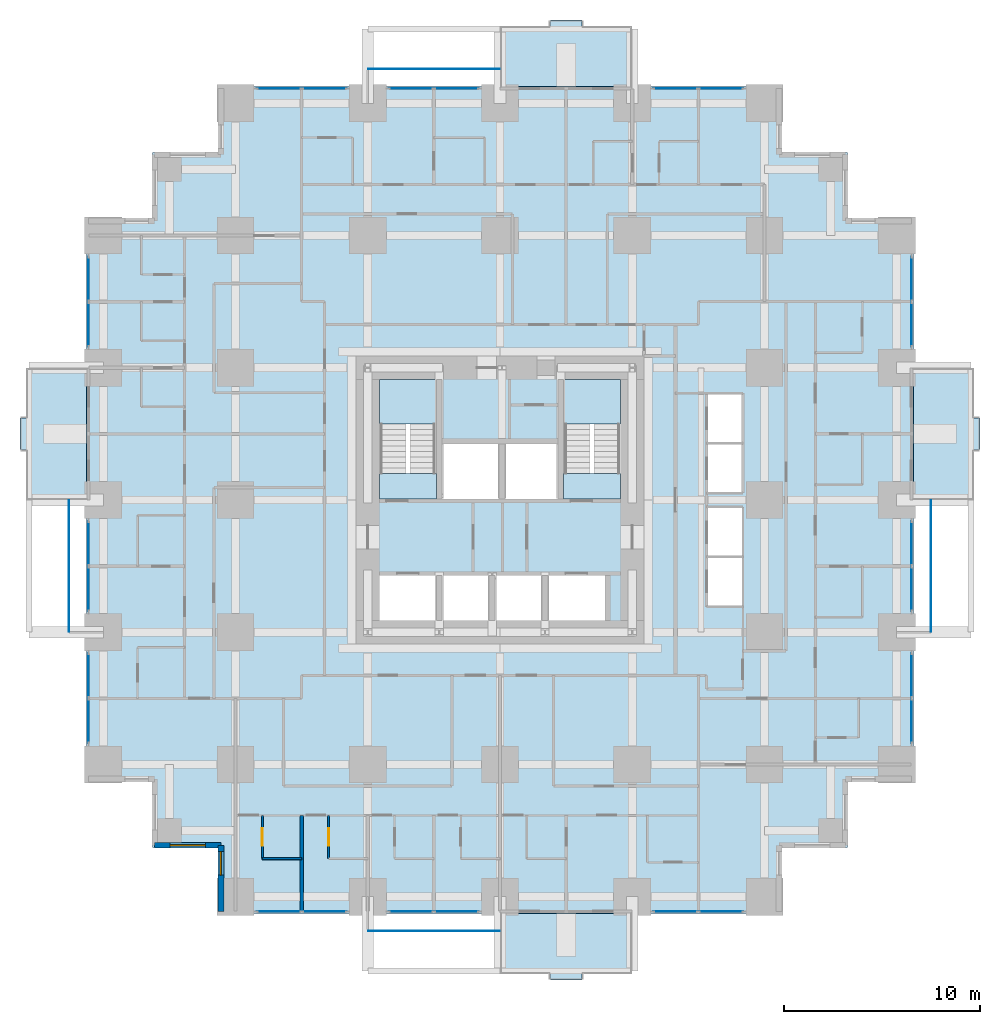
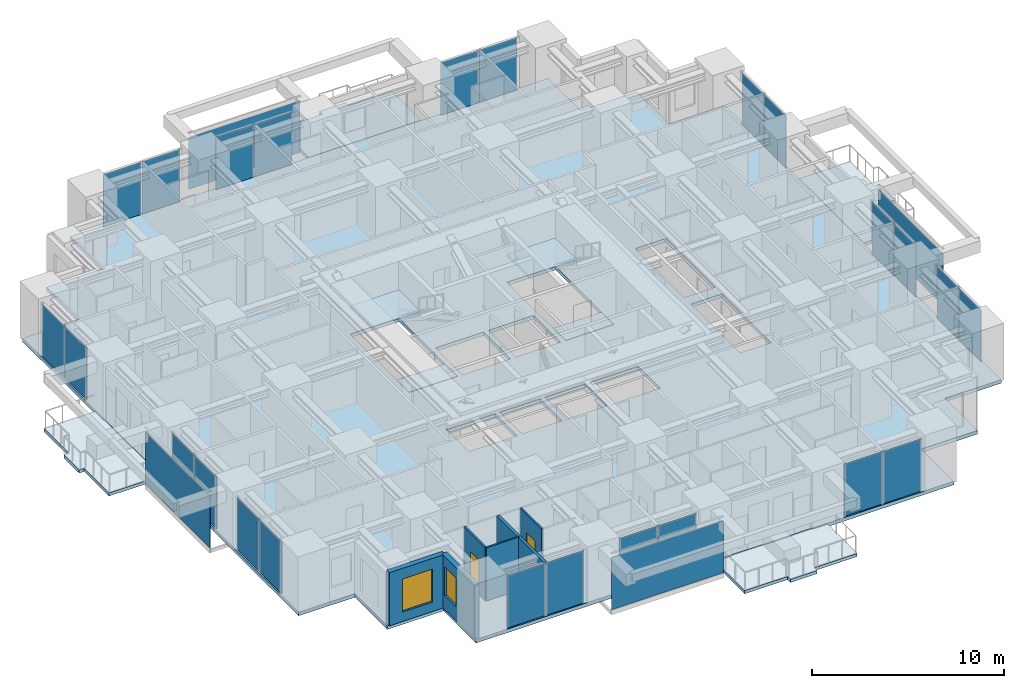
# One storey, part 7 of 14: 28 plates, 9 slabs, 6 walls, 2 doors, 2 windows, 4 openings, 14 elements without a shape of their own.
"""IFC4 building model written with IfcOpenShell, lengths in metres."""

from ifc_helpers import new_model, si_unit, direction, frame, frame_2d, origin, origin_2d, place, context, subcontext, project, spatial, polyline, rectangle, outline, extrude, material, layer, layer_set, type_object, element, fill, aggregate, save


model = new_model("IFC4")

# Units and contexts
model_context = context("Model", 3, precision=1e-05, world=origin(), true_north=direction((0.0, 1.0)))
body_context = subcontext(model_context, "Body", "Model", "MODEL_VIEW")
ifc_project = project(units=[si_unit("LENGTHUNIT", "METRE"), si_unit("AREAUNIT", "SQUARE_METRE"), si_unit("VOLUMEUNIT", "CUBIC_METRE"), si_unit("PLANEANGLEUNIT", "RADIAN"), si_unit("MASSUNIT", "GRAM", prefix="KILO")], contexts=[model_context])

# Site, building, storey
site_placement = place(None, origin())
site = spatial("IfcSite", under=ifc_project, at=site_placement, CompositionType="ELEMENT")
building_placement = place(site_placement, origin())
building = spatial("IfcBuilding", under=site, at=building_placement, Name="Nyansa Garden Tower", CompositionType="ELEMENT")
storey_placement = place(building_placement, frame((0.0, 0.0, 43.199951171875)))
storey = spatial("IfcBuildingStorey", under=building, at=storey_placement, Name="L11", CompositionType="ELEMENT", Elevation=43.199951171875)

# Slabs
ifc_material_1 = material(Name="Concrete C40/50", Category="concrete")
ifc_layer_1 = layer(ifc_material_1, 0.199951171875)
ifc_layer_set_1 = layer_set([ifc_layer_1], Name="Balcony slab BS200")
slab_type_1 = type_object("IfcSlabType", Name="Balcony slab BS200", PredefinedType="FLOOR", material=ifc_layer_set_1)
slab_1_placement = place(storey_placement, frame((0.0, 0.0, -0.239990234375)))
element("IfcSlab", 1, at=slab_1_placement, inside=storey, type_object=slab_type_1, Name="Balcony L11 S", PredefinedType="FLOOR", context=body_context, shape_type="SweptSolid", body=[
    extrude(outline(polyline([(20.25, -0.85009765625), (27.0, -0.85009765625), (27.0, -3.949951171875), (24.425048828125, -3.949951171875), (24.425048828125, -4.25), (22.824951171875, -4.25), (22.824951171875, -3.949951171875), (20.25, -3.949951171875), (20.25, -0.85009765625)])), origin(), (0.0, 0.0, 1.0), 0.199951171875),
])
slab_2_placement = place(storey_placement, frame((0.0, 0.0, -0.239990234375)))
element("IfcSlab", 2, at=slab_2_placement, inside=storey, type_object=slab_type_1, Name="Balcony L11 E", PredefinedType="FLOOR", context=body_context, shape_type="SweptSolid", body=[
    extrude(outline(polyline([(41.35009765625, 20.25), (41.35009765625, 27.0), (44.449951171875, 27.0), (44.449951171875, 24.425048828125), (44.75, 24.425048828125), (44.75, 22.824951171875), (44.449951171875, 22.824951171875), (44.449951171875, 20.25), (41.35009765625, 20.25)])), origin(), (0.0, 0.0, 1.0), 0.199951171875),
])
slab_3_placement = place(storey_placement, frame((0.0, 0.0, -0.239990234375)))
element("IfcSlab", 3, at=slab_3_placement, inside=storey, type_object=slab_type_1, Name="Balcony L11 N", PredefinedType="FLOOR", context=body_context, shape_type="SweptSolid", body=[
    extrude(outline(polyline([(20.25, 41.35009765625), (27.0, 41.35009765625), (27.0, 44.449951171875), (24.425048828125, 44.449951171875), (24.425048828125, 44.75), (22.824951171875, 44.75), (22.824951171875, 44.449951171875), (20.25, 44.449951171875), (20.25, 41.35009765625)])), origin(), (0.0, 0.0, 1.0), 0.199951171875),
])
slab_4_placement = place(storey_placement, frame((0.0, 0.0, -0.239990234375)))
element("IfcSlab", 4, at=slab_4_placement, inside=storey, type_object=slab_type_1, Name="Balcony L11 W", PredefinedType="FLOOR", context=body_context, shape_type="SweptSolid", body=[
    extrude(outline(polyline([(-0.85009765625, 20.25), (-0.85009765625, 27.0), (-3.949951171875, 27.0), (-3.949951171875, 24.425048828125), (-4.25, 24.425048828125), (-4.25, 22.824951171875), (-3.949951171875, 22.824951171875), (-3.949951171875, 20.25), (-0.85009765625, 20.25)])), origin(), (0.0, 0.0, 1.0), 0.199951171875),
])

# Curtain wall, plates
ifc_material_2 = material(Name="Black anodised aluminium, dark tinted double glazing", Category="aluminium")
curtain_wall_type = type_object("IfcCurtainWallType", Name="Inner skin curtain wall ISW-A", PredefinedType="USERDEFINED", material=ifc_material_2)
curtain_wall_1_placement = place(storey_placement, origin())
curtain_wall_1 = element("IfcCurtainWall", 5, at=curtain_wall_1_placement, inside=storey, type_object=curtain_wall_type, Name="Inner skin curtain wall L11 E", ObjectType="UNITISED CURTAIN WALL", PredefinedType="USERDEFINED")
ifc_material_3 = material(Name="Dark tinted laminated double glazing", Category="glass")
ifc_layer_2 = layer(ifc_material_3, 0.031982421875)
ifc_layer_set_2 = layer_set([ifc_layer_2], Name="Dark tinted vision panel VP-A")
plate_type_1 = type_object("IfcPlateType", Name="Dark tinted vision panel VP-A", PredefinedType="CURTAIN_PANEL", material=ifc_layer_set_2)
plate_1_placement = place(storey_placement, frame((41.25, 8.96240234375, 0.0), z_axis=(0.0, 0.0, 1.0), x_axis=(0.0, 1.0, 0.0)))
plate_1 = element("IfcPlate", 6, at=plate_1_placement, type_object=plate_type_1, Name="ISW-A panel 1", PredefinedType="CURTAIN_PANEL", context=body_context, shape_type="SweptSolid", body=[
    extrude(rectangle(XDim=2.260009765625, YDim=0.031982421875, at=origin_2d()), origin(), (0.0, 0.0, 1.0), 3.31005859375),
])
plate_2_placement = place(storey_placement, frame((41.25, 11.28759765625, 0.0), z_axis=(0.0, 0.0, 1.0), x_axis=(0.0, 1.0, 0.0)))
plate_2 = element("IfcPlate", 7, at=plate_2_placement, type_object=plate_type_1, Name="ISW-A panel 2", PredefinedType="CURTAIN_PANEL", context=body_context, shape_type="SweptSolid", body=[
    extrude(rectangle(XDim=2.260009765625, YDim=0.031982421875, at=origin_2d()), origin(), (0.0, 0.0, 1.0), 3.31005859375),
])
aggregate(curtain_wall_1, [plate_1, plate_2])

curtain_wall_2_placement = place(storey_placement, origin())
curtain_wall_2 = element("IfcCurtainWall", 8, at=curtain_wall_2_placement, inside=storey, type_object=curtain_wall_type, Name="Inner skin curtain wall L11 E", ObjectType="UNITISED CURTAIN WALL", PredefinedType="USERDEFINED")
plate_3_placement = place(storey_placement, frame((41.25, 15.71240234375, 0.0), z_axis=(0.0, 0.0, 1.0), x_axis=(0.0, 1.0, 0.0)))
plate_3 = element("IfcPlate", 9, at=plate_3_placement, type_object=plate_type_1, Name="ISW-A panel 1", PredefinedType="CURTAIN_PANEL", context=body_context, shape_type="SweptSolid", body=[
    extrude(rectangle(XDim=2.260009765625, YDim=0.031982421875, at=origin_2d()), origin(), (0.0, 0.0, 1.0), 3.31005859375),
])
plate_4_placement = place(storey_placement, frame((41.25, 18.03759765625, 0.0), z_axis=(0.0, 0.0, 1.0), x_axis=(0.0, 1.0, 0.0)))
plate_4 = element("IfcPlate", 10, at=plate_4_placement, type_object=plate_type_1, Name="ISW-A panel 2", PredefinedType="CURTAIN_PANEL", context=body_context, shape_type="SweptSolid", body=[
    extrude(rectangle(XDim=2.260009765625, YDim=0.031982421875, at=origin_2d()), origin(), (0.0, 0.0, 1.0), 3.31005859375),
])
aggregate(curtain_wall_2, [plate_3, plate_4])

curtain_wall_3_placement = place(storey_placement, origin())
curtain_wall_3 = element("IfcCurtainWall", 11, at=curtain_wall_3_placement, inside=storey, type_object=curtain_wall_type, Name="Inner skin curtain wall L11 E", ObjectType="UNITISED CURTAIN WALL", PredefinedType="USERDEFINED")
plate_5_placement = place(storey_placement, frame((41.25, 29.21240234375, 0.0), z_axis=(0.0, 0.0, 1.0), x_axis=(0.0, 1.0, 0.0)))
plate_5 = element("IfcPlate", 12, at=plate_5_placement, type_object=plate_type_1, Name="ISW-A panel 1", PredefinedType="CURTAIN_PANEL", context=body_context, shape_type="SweptSolid", body=[
    extrude(rectangle(XDim=2.260009765625, YDim=0.031982421875, at=origin_2d()), origin(), (0.0, 0.0, 1.0), 3.31005859375),
])
plate_6_placement = place(storey_placement, frame((41.25, 31.53759765625, 0.0), z_axis=(0.0, 0.0, 1.0), x_axis=(0.0, 1.0, 0.0)))
plate_6 = element("IfcPlate", 13, at=plate_6_placement, type_object=plate_type_1, Name="ISW-A panel 2", PredefinedType="CURTAIN_PANEL", context=body_context, shape_type="SweptSolid", body=[
    extrude(rectangle(XDim=2.260009765625, YDim=0.031982421875, at=origin_2d()), origin(), (0.0, 0.0, 1.0), 3.31005859375),
])
aggregate(curtain_wall_3, [plate_5, plate_6])

curtain_wall_4_placement = place(storey_placement, origin())
curtain_wall_4 = element("IfcCurtainWall", 14, at=curtain_wall_4_placement, inside=storey, type_object=curtain_wall_type, Name="Inner skin curtain wall L11 N", ObjectType="UNITISED CURTAIN WALL", PredefinedType="USERDEFINED")
plate_7_placement = place(storey_placement, frame((18.03759765625, 41.25, 0.0), z_axis=(0.0, 0.0, 1.0), x_axis=(-1.0, 0.0, 0.0)))
plate_7 = element("IfcPlate", 15, at=plate_7_placement, type_object=plate_type_1, Name="ISW-A panel 1", PredefinedType="CURTAIN_PANEL", context=body_context, shape_type="SweptSolid", body=[
    extrude(rectangle(XDim=2.260009765625, YDim=0.031982421875, at=origin_2d()), origin(), (0.0, 0.0, 1.0), 3.31005859375),
])
plate_8_placement = place(storey_placement, frame((15.71240234375, 41.25, 0.0), z_axis=(0.0, 0.0, 1.0), x_axis=(-1.0, 0.0, 0.0)))
plate_8 = element("IfcPlate", 16, at=plate_8_placement, type_object=plate_type_1, Name="ISW-A panel 2", PredefinedType="CURTAIN_PANEL", context=body_context, shape_type="SweptSolid", body=[
    extrude(rectangle(XDim=2.260009765625, YDim=0.031982421875, at=origin_2d()), origin(), (0.0, 0.0, 1.0), 3.31005859375),
])
aggregate(curtain_wall_4, [plate_7, plate_8])

curtain_wall_5_placement = place(storey_placement, origin())
curtain_wall_5 = element("IfcCurtainWall", 17, at=curtain_wall_5_placement, inside=storey, type_object=curtain_wall_type, Name="Inner skin curtain wall L11 N", ObjectType="UNITISED CURTAIN WALL", PredefinedType="USERDEFINED")
plate_9_placement = place(storey_placement, frame((11.28759765625, 41.25, 0.0), z_axis=(0.0, 0.0, 1.0), x_axis=(-1.0, 0.0, 0.0)))
plate_9 = element("IfcPlate", 18, at=plate_9_placement, type_object=plate_type_1, Name="ISW-A panel 1", PredefinedType="CURTAIN_PANEL", context=body_context, shape_type="SweptSolid", body=[
    extrude(rectangle(XDim=2.260009765625, YDim=0.031982421875, at=origin_2d()), origin(), (0.0, 0.0, 1.0), 3.31005859375),
])
plate_10_placement = place(storey_placement, frame((8.96240234375, 41.25, 0.0), z_axis=(0.0, 0.0, 1.0), x_axis=(-1.0, 0.0, 0.0)))
plate_10 = element("IfcPlate", 19, at=plate_10_placement, type_object=plate_type_1, Name="ISW-A panel 2", PredefinedType="CURTAIN_PANEL", context=body_context, shape_type="SweptSolid", body=[
    extrude(rectangle(XDim=2.260009765625, YDim=0.031982421875, at=origin_2d()), origin(), (0.0, 0.0, 1.0), 3.31005859375),
])
aggregate(curtain_wall_5, [plate_9, plate_10])

curtain_wall_6_placement = place(storey_placement, origin())
curtain_wall_6 = element("IfcCurtainWall", 20, at=curtain_wall_6_placement, inside=storey, type_object=curtain_wall_type, Name="Inner skin curtain wall L11 N", ObjectType="UNITISED CURTAIN WALL", PredefinedType="USERDEFINED")
plate_11_placement = place(storey_placement, frame((31.53759765625, 41.25, 0.0), z_axis=(0.0, 0.0, 1.0), x_axis=(-1.0, 0.0, 0.0)))
plate_11 = element("IfcPlate", 21, at=plate_11_placement, type_object=plate_type_1, Name="ISW-A panel 1", PredefinedType="CURTAIN_PANEL", context=body_context, shape_type="SweptSolid", body=[
    extrude(rectangle(XDim=2.260009765625, YDim=0.031982421875, at=origin_2d()), origin(), (0.0, 0.0, 1.0), 3.31005859375),
])
plate_12_placement = place(storey_placement, frame((29.21240234375, 41.25, 0.0), z_axis=(0.0, 0.0, 1.0), x_axis=(-1.0, 0.0, 0.0)))
plate_12 = element("IfcPlate", 22, at=plate_12_placement, type_object=plate_type_1, Name="ISW-A panel 2", PredefinedType="CURTAIN_PANEL", context=body_context, shape_type="SweptSolid", body=[
    extrude(rectangle(XDim=2.260009765625, YDim=0.031982421875, at=origin_2d()), origin(), (0.0, 0.0, 1.0), 3.31005859375),
])
aggregate(curtain_wall_6, [plate_11, plate_12])

curtain_wall_7_placement = place(storey_placement, origin())
curtain_wall_7 = element("IfcCurtainWall", 23, at=curtain_wall_7_placement, inside=storey, type_object=curtain_wall_type, Name="Inner skin curtain wall L11 W", ObjectType="UNITISED CURTAIN WALL", PredefinedType="USERDEFINED")
plate_13_placement = place(storey_placement, frame((-0.75, 18.03759765625, 0.0), z_axis=(0.0, 0.0, 1.0), x_axis=(0.0, -1.0, 0.0)))
plate_13 = element("IfcPlate", 24, at=plate_13_placement, type_object=plate_type_1, Name="ISW-A panel 1", PredefinedType="CURTAIN_PANEL", context=body_context, shape_type="SweptSolid", body=[
    extrude(rectangle(XDim=2.260009765625, YDim=0.031982421875, at=origin_2d()), origin(), (0.0, 0.0, 1.0), 3.31005859375),
])
plate_14_placement = place(storey_placement, frame((-0.75, 15.71240234375, 0.0), z_axis=(0.0, 0.0, 1.0), x_axis=(0.0, -1.0, 0.0)))
plate_14 = element("IfcPlate", 25, at=plate_14_placement, type_object=plate_type_1, Name="ISW-A panel 2", PredefinedType="CURTAIN_PANEL", context=body_context, shape_type="SweptSolid", body=[
    extrude(rectangle(XDim=2.260009765625, YDim=0.031982421875, at=origin_2d()), origin(), (0.0, 0.0, 1.0), 3.31005859375),
])
aggregate(curtain_wall_7, [plate_13, plate_14])

curtain_wall_8_placement = place(storey_placement, origin())
curtain_wall_8 = element("IfcCurtainWall", 26, at=curtain_wall_8_placement, inside=storey, type_object=curtain_wall_type, Name="Inner skin curtain wall L11 W", ObjectType="UNITISED CURTAIN WALL", PredefinedType="USERDEFINED")
plate_15_placement = place(storey_placement, frame((-0.75, 11.28759765625, 0.0), z_axis=(0.0, 0.0, 1.0), x_axis=(0.0, -1.0, 0.0)))
plate_15 = element("IfcPlate", 27, at=plate_15_placement, type_object=plate_type_1, Name="ISW-A panel 1", PredefinedType="CURTAIN_PANEL", context=body_context, shape_type="SweptSolid", body=[
    extrude(rectangle(XDim=2.260009765625, YDim=0.031982421875, at=origin_2d()), origin(), (0.0, 0.0, 1.0), 3.31005859375),
])
plate_16_placement = place(storey_placement, frame((-0.75, 8.96240234375, 0.0), z_axis=(0.0, 0.0, 1.0), x_axis=(0.0, -1.0, 0.0)))
plate_16 = element("IfcPlate", 28, at=plate_16_placement, type_object=plate_type_1, Name="ISW-A panel 2", PredefinedType="CURTAIN_PANEL", context=body_context, shape_type="SweptSolid", body=[
    extrude(rectangle(XDim=2.260009765625, YDim=0.031982421875, at=origin_2d()), origin(), (0.0, 0.0, 1.0), 3.31005859375),
])
aggregate(curtain_wall_8, [plate_15, plate_16])

curtain_wall_9_placement = place(storey_placement, origin())
curtain_wall_9 = element("IfcCurtainWall", 29, at=curtain_wall_9_placement, inside=storey, type_object=curtain_wall_type, Name="Inner skin curtain wall L11 W", ObjectType="UNITISED CURTAIN WALL", PredefinedType="USERDEFINED")
plate_17_placement = place(storey_placement, frame((-0.75, 31.53759765625, 0.0), z_axis=(0.0, 0.0, 1.0), x_axis=(0.0, -1.0, 0.0)))
plate_17 = element("IfcPlate", 30, at=plate_17_placement, type_object=plate_type_1, Name="ISW-A panel 1", PredefinedType="CURTAIN_PANEL", context=body_context, shape_type="SweptSolid", body=[
    extrude(rectangle(XDim=2.260009765625, YDim=0.031982421875, at=origin_2d()), origin(), (0.0, 0.0, 1.0), 3.31005859375),
])
plate_18_placement = place(storey_placement, frame((-0.75, 29.21240234375, 0.0), z_axis=(0.0, 0.0, 1.0), x_axis=(0.0, -1.0, 0.0)))
plate_18 = element("IfcPlate", 31, at=plate_18_placement, type_object=plate_type_1, Name="ISW-A panel 2", PredefinedType="CURTAIN_PANEL", context=body_context, shape_type="SweptSolid", body=[
    extrude(rectangle(XDim=2.260009765625, YDim=0.031982421875, at=origin_2d()), origin(), (0.0, 0.0, 1.0), 3.31005859375),
])
aggregate(curtain_wall_9, [plate_17, plate_18])

curtain_wall_10_placement = place(storey_placement, origin())
curtain_wall_10 = element("IfcCurtainWall", 32, at=curtain_wall_10_placement, inside=storey, type_object=curtain_wall_type, Name="Inner skin curtain wall L11 S", ObjectType="UNITISED CURTAIN WALL", PredefinedType="USERDEFINED")
plate_19_placement = place(storey_placement, frame((8.96240234375, -0.75, 0.0), z_axis=(0.0, 0.0, 1.0), x_axis=(1.0, 0.0, 0.0)))
plate_19 = element("IfcPlate", 33, at=plate_19_placement, type_object=plate_type_1, Name="ISW-A panel 1", PredefinedType="CURTAIN_PANEL", context=body_context, shape_type="SweptSolid", body=[
    extrude(rectangle(XDim=2.260009765625, YDim=0.031982421875, at=origin_2d()), origin(), (0.0, 0.0, 1.0), 3.31005859375),
])
plate_20_placement = place(storey_placement, frame((11.28759765625, -0.75, 0.0), z_axis=(0.0, 0.0, 1.0), x_axis=(1.0, 0.0, 0.0)))
plate_20 = element("IfcPlate", 34, at=plate_20_placement, type_object=plate_type_1, Name="ISW-A panel 2", PredefinedType="CURTAIN_PANEL", context=body_context, shape_type="SweptSolid", body=[
    extrude(rectangle(XDim=2.260009765625, YDim=0.031982421875, at=origin_2d()), origin(), (0.0, 0.0, 1.0), 3.31005859375),
])
aggregate(curtain_wall_10, [plate_19, plate_20])

curtain_wall_11_placement = place(storey_placement, origin())
curtain_wall_11 = element("IfcCurtainWall", 35, at=curtain_wall_11_placement, inside=storey, type_object=curtain_wall_type, Name="Inner skin curtain wall L11 S", ObjectType="UNITISED CURTAIN WALL", PredefinedType="USERDEFINED")
plate_21_placement = place(storey_placement, frame((15.71240234375, -0.75, 0.0), z_axis=(0.0, 0.0, 1.0), x_axis=(1.0, 0.0, 0.0)))
plate_21 = element("IfcPlate", 36, at=plate_21_placement, type_object=plate_type_1, Name="ISW-A panel 1", PredefinedType="CURTAIN_PANEL", context=body_context, shape_type="SweptSolid", body=[
    extrude(rectangle(XDim=2.260009765625, YDim=0.031982421875, at=origin_2d()), origin(), (0.0, 0.0, 1.0), 3.31005859375),
])
plate_22_placement = place(storey_placement, frame((18.03759765625, -0.75, 0.0), z_axis=(0.0, 0.0, 1.0), x_axis=(1.0, 0.0, 0.0)))
plate_22 = element("IfcPlate", 37, at=plate_22_placement, type_object=plate_type_1, Name="ISW-A panel 2", PredefinedType="CURTAIN_PANEL", context=body_context, shape_type="SweptSolid", body=[
    extrude(rectangle(XDim=2.260009765625, YDim=0.031982421875, at=origin_2d()), origin(), (0.0, 0.0, 1.0), 3.31005859375),
])
aggregate(curtain_wall_11, [plate_21, plate_22])

curtain_wall_12_placement = place(storey_placement, origin())
curtain_wall_12 = element("IfcCurtainWall", 38, at=curtain_wall_12_placement, inside=storey, type_object=curtain_wall_type, Name="Inner skin curtain wall L11 S", ObjectType="UNITISED CURTAIN WALL", PredefinedType="USERDEFINED")
plate_23_placement = place(storey_placement, frame((29.21240234375, -0.75, 0.0), z_axis=(0.0, 0.0, 1.0), x_axis=(1.0, 0.0, 0.0)))
plate_23 = element("IfcPlate", 39, at=plate_23_placement, type_object=plate_type_1, Name="ISW-A panel 1", PredefinedType="CURTAIN_PANEL", context=body_context, shape_type="SweptSolid", body=[
    extrude(rectangle(XDim=2.260009765625, YDim=0.031982421875, at=origin_2d()), origin(), (0.0, 0.0, 1.0), 3.31005859375),
])
plate_24_placement = place(storey_placement, frame((31.53759765625, -0.75, 0.0), z_axis=(0.0, 0.0, 1.0), x_axis=(1.0, 0.0, 0.0)))
plate_24 = element("IfcPlate", 40, at=plate_24_placement, type_object=plate_type_1, Name="ISW-A panel 2", PredefinedType="CURTAIN_PANEL", context=body_context, shape_type="SweptSolid", body=[
    extrude(rectangle(XDim=2.260009765625, YDim=0.031982421875, at=origin_2d()), origin(), (0.0, 0.0, 1.0), 3.31005859375),
])
aggregate(curtain_wall_12, [plate_23, plate_24])

# Slab
ifc_material_4 = material(Name="Concrete C40/50", Category="concrete")
ifc_layer_3 = layer(ifc_material_4, 0.22509765625)
ifc_layer_set_3 = layer_set([ifc_layer_3], Name="Floor slab FS225")
slab_type_2 = type_object("IfcSlabType", Name="Floor slab FS225", PredefinedType="FLOOR", material=ifc_layer_set_3)
slab_5_placement = place(storey_placement, frame((0.0, 0.0, -0.224853515625)))
element("IfcSlab", 41, at=slab_5_placement, inside=storey, type_object=slab_type_2, Name="Floor slab L11", PredefinedType="FLOOR", context=body_context, shape_type="SweptSolid", body=[
    extrude(outline(polyline([(41.35009765625, 5.89990234375), (37.97509765625, 5.89990234375), (37.97509765625, 2.52490234375), (34.60009765625, 2.52490234375), (34.60009765625, -0.85009765625), (5.89990234375, -0.85009765625), (5.89990234375, 2.52490234375), (2.52490234375, 2.52490234375), (2.52490234375, 5.89990234375), (-0.85009765625, 5.89990234375), (-0.85009765625, 34.60009765625), (2.52490234375, 34.60009765625), (2.52490234375, 37.97509765625), (5.89990234375, 37.97509765625), (5.89990234375, 41.35009765625), (34.60009765625, 41.35009765625), (34.60009765625, 37.97509765625), (37.97509765625, 37.97509765625), (37.97509765625, 34.60009765625), (41.35009765625, 34.60009765625), (41.35009765625, 5.89990234375)]), holes=[polyline([(14.10009765625, 14.10009765625), (17.0, 14.10009765625), (17.0, 16.39990234375), (14.10009765625, 16.39990234375), (14.10009765625, 14.10009765625)]), polyline([(17.300048828125, 14.10009765625), (19.699951171875, 14.10009765625), (19.699951171875, 16.39990234375), (17.300048828125, 16.39990234375), (17.300048828125, 14.10009765625)]), polyline([(20.0, 14.10009765625), (22.39990234375, 14.10009765625), (22.39990234375, 16.39990234375), (20.0, 16.39990234375), (20.0, 14.10009765625)]), polyline([(22.699951171875, 14.10009765625), (25.60009765625, 14.10009765625), (25.60009765625, 16.39990234375), (22.699951171875, 16.39990234375), (22.699951171875, 14.10009765625)]), polyline([(17.300048828125, 20.300048828125), (20.199951171875, 20.300048828125), (20.199951171875, 23.10009765625), (17.300048828125, 23.10009765625), (17.300048828125, 20.300048828125)]), polyline([(20.5, 20.300048828125), (23.199951171875, 20.300048828125), (23.199951171875, 23.10009765625), (20.5, 23.10009765625), (20.5, 20.300048828125)]), polyline([(30.800048828125, 14.800048828125), (32.64990234375, 14.800048828125), (32.64990234375, 19.89990234375), (30.800048828125, 19.89990234375), (30.800048828125, 14.800048828125)]), polyline([(30.800048828125, 20.60009765625), (32.64990234375, 20.60009765625), (32.64990234375, 25.699951171875), (30.800048828125, 25.699951171875), (30.800048828125, 20.60009765625)]), polyline([(14.10009765625, 20.300048828125), (17.0, 20.300048828125), (17.0, 26.39990234375), (14.10009765625, 26.39990234375), (14.10009765625, 20.300048828125)]), polyline([(23.5, 20.300048828125), (26.39990234375, 20.300048828125), (26.39990234375, 26.39990234375), (23.5, 26.39990234375), (23.5, 20.300048828125)])]), origin(), (0.0, 0.0, 1.0), 0.224853515625),
])

# Plates
ifc_material_5 = material(Name="Dark tinted laminated glass", Category="glass")
ifc_layer_4 = layer(ifc_material_5, 0.02392578125)
ifc_layer_set_4 = layer_set([ifc_layer_4], Name="Outer skin glass panel OS1")
plate_type_2 = type_object("IfcPlateType", Name="Outer skin glass panel OS1", PredefinedType="USERDEFINED", material=ifc_layer_set_4)
for number, where, z_axis, x_axis, name in (
    (42, (42.25, 16.875, -0.22509765625), (0.0, 0.0, 1.0), (0.0, 1.0, 0.0), "Outer skin glass panel L11"),
    (43, (16.875, 42.25, -0.22509765625), (0.0, 0.0, 1.0), (1.0, 0.0, 0.0), "Outer skin glass panel L11"),
    (44, (-1.75, 16.875, -0.22509765625), (0.0, 0.0, 1.0), (0.0, 1.0, 0.0), "Outer skin glass panel L11"),
    (45, (16.875, -1.75, -0.22509765625), (0.0, 0.0, 1.0), (1.0, 0.0, 0.0), "Outer skin glass panel L11"),
):
    element("IfcPlate", number, at=place(storey_placement, frame(where, z_axis=z_axis, x_axis=x_axis)), inside=storey, type_object=plate_type_2, Name=name, ObjectType="OUTER SKIN GLASS", PredefinedType="USERDEFINED", context=body_context, shape_type="SweptSolid", body=[
        extrude(rectangle(XDim=6.7099609375, YDim=0.02392578125, at=origin_2d()), origin(), (0.0, 0.0, 1.0), 3.300048828125),
    ])

# Stair, slabs
ifc_material_6 = material(Name="Precast concrete C40/50", Category="concrete")
stair_type_1 = type_object("IfcStairType", Name="Stair S1 180x280", PredefinedType="HALF_TURN_STAIR", material=ifc_material_6)
stair_1_placement = place(storey_placement, origin())
stair_1 = element("IfcStair", 46, at=stair_1_placement, inside=storey, type_object=stair_type_1, Name="Stair S1 L11", PredefinedType="HALF_TURN_STAIR")
ifc_material_7 = material(Name="Concrete C40/50", Category="concrete")
ifc_layer_5 = layer(ifc_material_7, 0.199951171875)
ifc_layer_set_5 = layer_set([ifc_layer_5], Name="Stair landing SL200")
slab_type_3 = type_object("IfcSlabType", Name="Stair landing SL200", PredefinedType="LANDING", material=ifc_layer_set_5)
slab_6_placement = place(storey_placement, frame((0.0, 0.0, -0.199951171875)))
slab_6 = element("IfcSlab", 47, at=slab_6_placement, type_object=slab_type_3, Name="S1 landing 1", PredefinedType="LANDING", context=body_context, shape_type="SweptSolid", body=[
    extrude(outline(polyline([(14.10009765625, 20.300048828125), (17.0, 20.300048828125), (17.0, 21.60009765625), (14.10009765625, 21.60009765625), (14.10009765625, 20.300048828125)])), origin(), (0.0, 0.0, 1.0), 0.199951171875),
])
slab_7_placement = place(storey_placement, frame((0.0, 0.0, 1.60009765625)))
slab_7 = element("IfcSlab", 48, at=slab_7_placement, type_object=slab_type_3, Name="S1 landing 2", PredefinedType="LANDING", context=body_context, shape_type="SweptSolid", body=[
    extrude(outline(polyline([(14.10009765625, 24.1201171875), (17.0, 24.1201171875), (17.0, 26.39990234375), (14.10009765625, 26.39990234375), (14.10009765625, 24.1201171875)])), origin(), (0.0, 0.0, 1.0), 0.199951171875),
])
aggregate(stair_1, [slab_6, slab_7])

ifc_material_8 = material(Name="Precast concrete C40/50", Category="concrete")
stair_type_2 = type_object("IfcStairType", Name="Stair S2 180x280", PredefinedType="HALF_TURN_STAIR", material=ifc_material_8)
stair_2_placement = place(storey_placement, origin())
stair_2 = element("IfcStair", 49, at=stair_2_placement, inside=storey, type_object=stair_type_2, Name="Stair S2 L11", PredefinedType="HALF_TURN_STAIR")
slab_8_placement = place(storey_placement, frame((0.0, 0.0, -0.199951171875)))
slab_8 = element("IfcSlab", 50, at=slab_8_placement, type_object=slab_type_3, Name="S2 landing 1", PredefinedType="LANDING", context=body_context, shape_type="SweptSolid", body=[
    extrude(outline(polyline([(23.5, 20.300048828125), (26.39990234375, 20.300048828125), (26.39990234375, 21.60009765625), (23.5, 21.60009765625), (23.5, 20.300048828125)])), origin(), (0.0, 0.0, 1.0), 0.199951171875),
])
slab_9_placement = place(storey_placement, frame((0.0, 0.0, 1.60009765625)))
slab_9 = element("IfcSlab", 51, at=slab_9_placement, type_object=slab_type_3, Name="S2 landing 2", PredefinedType="LANDING", context=body_context, shape_type="SweptSolid", body=[
    extrude(outline(polyline([(23.5, 24.1201171875), (26.39990234375, 24.1201171875), (26.39990234375, 26.39990234375), (23.5, 26.39990234375), (23.5, 24.1201171875)])), origin(), (0.0, 0.0, 1.0), 0.199951171875),
])
aggregate(stair_2, [slab_8, slab_9])

# Wall
ifc_material_9 = material(Name="Dense blockwork, plastered both sides, 55 dB", Category="masonry")
ifc_layer_6 = layer(ifc_material_9, 0.175048828125)
ifc_layer_set_6 = layer_set([ifc_layer_6], Name="Acoustic party wall PW175")
wall_type_1 = type_object("IfcWallType", Name="Acoustic party wall PW175", PredefinedType="PARTITIONING", material=ifc_layer_set_6)
wall_1_placement = place(storey_placement, frame((10.125, -0.73388671875, 0.0), z_axis=(0.0, 0.0, 1.0), x_axis=(0.0, 1.0, 0.0)))
element("IfcWall", 52, at=wall_1_placement, inside=storey, type_object=wall_type_1, Name="Party wall", PredefinedType="PARTITIONING", context=body_context, shape_type="SweptSolid", body=[
    extrude(rectangle(XDim=4.8837890625, YDim=0.175048828125, at=frame_2d((2.44189453125, 0.0))), origin(), (0.0, 0.0, 1.0), 3.375),
])

# Wall, opening, window
ifc_material_10 = material(Name="Turquoise glazed tile on concrete blockwork", Category="masonry")
ifc_layer_7 = layer(ifc_material_10, 0.300048828125)
ifc_layer_set_7 = layer_set([ifc_layer_7], Name="Tiled corner wall TW300")
wall_type_2 = type_object("IfcWallType", Name="Tiled corner wall TW300", PredefinedType="SOLIDWALL", material=ifc_layer_set_7)
wall_2_placement = place(storey_placement, frame((2.625, 2.625, 0.0), z_axis=(0.0, 0.0, 1.0), x_axis=(1.0, 0.0, 0.0)))
wall_2 = element("IfcWall", 53, at=wall_2_placement, inside=storey, type_object=wall_type_2, Name="Tiled corner wall L11", PredefinedType="SOLIDWALL", context=body_context, shape_type="SweptSolid", body=[
    extrude(rectangle(XDim=3.375, YDim=0.300048828125, at=frame_2d((1.6875, 0.0))), origin(), (0.0, 0.0, 1.0), 3.375),
])
opening_1_placement = place(wall_2_placement, frame((0.78759765625, 0.0, 0.60009765625)))
opening_1 = element("IfcOpeningElement", 54, at=opening_1_placement, cuts=wall_2, Name="Opening W2", PredefinedType="OPENING", context=body_context, shape_type="SweptSolid", body=[
    extrude(rectangle(XDim=1.800048828125, YDim=2.10009765625, at=frame_2d((0.89990234375, 1.050048828125))), frame((0.0, 0.159912109375, 0.0), z_axis=(0.0, -1.0, 0.0), x_axis=(1.0, 0.0, 0.0)), (0.0, 0.0, 1.0), 0.320068359375),
])
ifc_material_11 = material(Name="Black aluminium frame, dark tinted double glazing", Category="aluminium")
window_type_1 = type_object("IfcWindowType", Name="Window W2 1800x2100", PartitioningType="SINGLE_PANEL", PredefinedType="WINDOW", material=ifc_material_11)
window_1_placement = place(opening_1_placement, origin())
window_1 = element("IfcWindow", 55, at=window_1_placement, inside=storey, type_object=window_type_1, Name="Corner window L11", OverallHeight=2.10009765625, OverallWidth=1.800048828125, PartitioningType="SINGLE_PANEL", PredefinedType="WINDOW", context=body_context, shape_type="SweptSolid", body=[
    extrude(rectangle(XDim=1.800048828125, YDim=2.10009765625, at=frame_2d((0.89990234375, 1.050048828125))), frame((0.0, 0.030029296875, 0.0), z_axis=(0.0, -1.0, 0.0), x_axis=(1.0, 0.0, 0.0)), (0.0, 0.0, 1.0), 0.06005859375),
])
fill(opening_1, window_1)

wall_3_placement = place(storey_placement, frame((6.0, 2.625, 0.0), z_axis=(0.0, 0.0, 1.0), x_axis=(0.0, -1.0, 0.0)))
wall_3 = element("IfcWall", 56, at=wall_3_placement, inside=storey, type_object=wall_type_2, Name="Tiled corner wall L11", PredefinedType="SOLIDWALL", context=body_context, shape_type="SweptSolid", body=[
    extrude(rectangle(XDim=3.375, YDim=0.300048828125, at=frame_2d((1.6875, 0.0))), origin(), (0.0, 0.0, 1.0), 3.375),
])
opening_2_placement = place(wall_3_placement, frame((0.3173828125, 0.0, 0.89990234375)))
opening_2 = element("IfcOpeningElement", 57, at=opening_2_placement, cuts=wall_3, Name="Opening W4", PredefinedType="OPENING", context=body_context, shape_type="SweptSolid", body=[
    extrude(rectangle(XDim=1.199951171875, YDim=1.800048828125, at=frame_2d((0.60009765625, 0.89990234375))), frame((0.0, 0.159912109375, 0.0), z_axis=(0.0, -1.0, 0.0), x_axis=(1.0, 0.0, 0.0)), (0.0, 0.0, 1.0), 0.320068359375),
])
ifc_material_12 = material(Name="Black aluminium frame, dark tinted double glazing", Category="aluminium")
window_type_2 = type_object("IfcWindowType", Name="Window W4 1200x1800", PartitioningType="SINGLE_PANEL", PredefinedType="WINDOW", material=ifc_material_12)
window_2_placement = place(opening_2_placement, origin())
window_2 = element("IfcWindow", 58, at=window_2_placement, inside=storey, type_object=window_type_2, Name="Corner window L11", OverallHeight=1.800048828125, OverallWidth=1.199951171875, PartitioningType="SINGLE_PANEL", PredefinedType="WINDOW", context=body_context, shape_type="SweptSolid", body=[
    extrude(rectangle(XDim=1.199951171875, YDim=1.800048828125, at=frame_2d((0.60009765625, 0.89990234375))), frame((0.0, 0.030029296875, 0.0), z_axis=(0.0, -1.0, 0.0), x_axis=(1.0, 0.0, 0.0)), (0.0, 0.0, 1.0), 0.06005859375),
])
fill(opening_2, window_2)

# Wall, opening, door
ifc_material_13 = material(Name="Moisture resistant board on steel studs, tiled", Category="steel")
ifc_layer_8 = layer(ifc_material_13, 0.10009765625)
ifc_layer_set_8 = layer_set([ifc_layer_8], Name="Wet wall PW100")
wall_type_3 = type_object("IfcWallType", Name="Wet wall PW100", PredefinedType="PARTITIONING", material=ifc_layer_set_8)
wall_4_placement = place(storey_placement, frame((8.125, 1.949951171875, 0.0), z_axis=(0.0, 0.0, 1.0), x_axis=(0.0, 1.0, 0.0)))
wall_4 = element("IfcWall", 59, at=wall_4_placement, inside=storey, type_object=wall_type_3, Name="Wet wall", PredefinedType="PARTITIONING", context=body_context, shape_type="SweptSolid", body=[
    extrude(rectangle(XDim=2.199951171875, YDim=0.10009765625, at=frame_2d((1.10009765625, 0.0))), origin(), (0.0, 0.0, 1.0), 3.375),
])
opening_3_placement = place(wall_4_placement, frame((0.64990234375, 0.0, 0.0)))
opening_3 = element("IfcOpeningElement", 60, at=opening_3_placement, cuts=wall_4, Name="Opening D02", PredefinedType="OPENING", context=body_context, shape_type="SweptSolid", body=[
    extrude(rectangle(XDim=0.89990234375, YDim=2.199951171875, at=frame_2d((0.449951171875, 1.10009765625))), frame((0.0, 0.06005859375, 0.0), z_axis=(0.0, -1.0, 0.0), x_axis=(1.0, 0.0, 0.0)), (0.0, 0.0, 1.0), 0.1201171875),
])
ifc_material_14 = material(Name="Timber flush door", Category="wood")
door_type = type_object("IfcDoorType", Name="En-suite door D02 900x2200", OperationType="SINGLE_SWING_RIGHT", PredefinedType="DOOR", material=ifc_material_14)
door_1_placement = place(opening_3_placement, origin())
door_1 = element("IfcDoor", 61, at=door_1_placement, inside=storey, type_object=door_type, Name="Door L11-021", OperationType="SINGLE_SWING_RIGHT", OverallHeight=2.199951171875, OverallWidth=0.89990234375, PredefinedType="DOOR", context=body_context, shape_type="SweptSolid", body=[
    extrude(rectangle(XDim=0.89990234375, YDim=2.199951171875, at=frame_2d((0.449951171875, 1.10009765625))), frame((0.0, 0.02490234375, 0.0), z_axis=(0.0, -1.0, 0.0), x_axis=(1.0, 0.0, 0.0)), (0.0, 0.0, 1.0), 0.050048828125),
])
fill(opening_3, door_1)

# Wall
wall_5_placement = place(storey_placement, frame((8.125, 1.949951171875, 0.0), z_axis=(0.0, 0.0, 1.0), x_axis=(1.0, 0.0, 0.0)))
element("IfcWall", 62, at=wall_5_placement, inside=storey, type_object=wall_type_3, Name="Wet wall", PredefinedType="PARTITIONING", context=body_context, shape_type="SweptSolid", body=[
    extrude(rectangle(XDim=2.0, YDim=0.10009765625, at=frame_2d((1.0, 0.0))), origin(), (0.0, 0.0, 1.0), 3.375),
])

# Wall, opening, door
wall_6_placement = place(storey_placement, frame((11.5, 1.949951171875, 0.0), z_axis=(0.0, 0.0, 1.0), x_axis=(0.0, 1.0, 0.0)))
wall_6 = element("IfcWall", 63, at=wall_6_placement, inside=storey, type_object=wall_type_3, Name="Wet wall", PredefinedType="PARTITIONING", context=body_context, shape_type="SweptSolid", body=[
    extrude(rectangle(XDim=2.199951171875, YDim=0.10009765625, at=frame_2d((1.10009765625, 0.0))), origin(), (0.0, 0.0, 1.0), 3.375),
])
opening_4_placement = place(wall_6_placement, frame((0.64990234375, 0.0, 0.0)))
opening_4 = element("IfcOpeningElement", 64, at=opening_4_placement, cuts=wall_6, Name="Opening D02", PredefinedType="OPENING", context=body_context, shape_type="SweptSolid", body=[
    extrude(rectangle(XDim=0.89990234375, YDim=2.199951171875, at=frame_2d((0.449951171875, 1.10009765625))), frame((0.0, 0.06005859375, 0.0), z_axis=(0.0, -1.0, 0.0), x_axis=(1.0, 0.0, 0.0)), (0.0, 0.0, 1.0), 0.1201171875),
])
door_2_placement = place(opening_4_placement, origin())
door_2 = element("IfcDoor", 65, at=door_2_placement, inside=storey, type_object=door_type, Name="Door L11-023", OperationType="SINGLE_SWING_RIGHT", OverallHeight=2.199951171875, OverallWidth=0.89990234375, PredefinedType="DOOR", context=body_context, shape_type="SweptSolid", body=[
    extrude(rectangle(XDim=0.89990234375, YDim=2.199951171875, at=frame_2d((0.449951171875, 1.10009765625))), frame((0.0, 0.02490234375, 0.0), z_axis=(0.0, -1.0, 0.0), x_axis=(1.0, 0.0, 0.0)), (0.0, 0.0, 1.0), 0.050048828125),
])
fill(opening_4, door_2)

save(model, "model.ifc")
